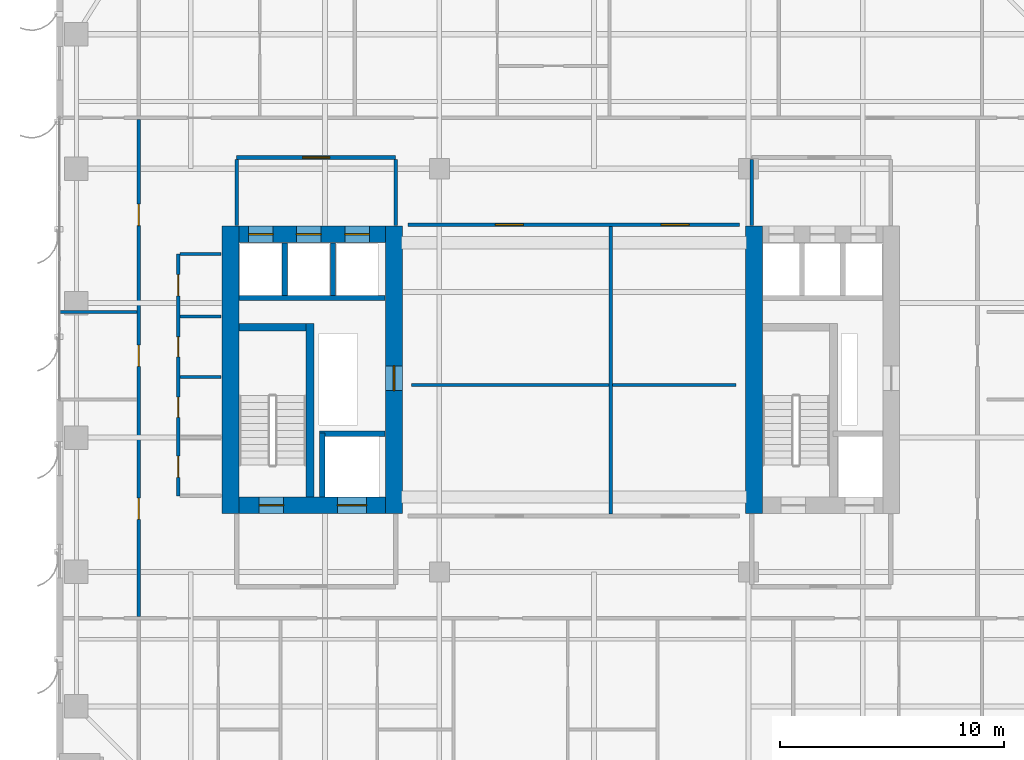
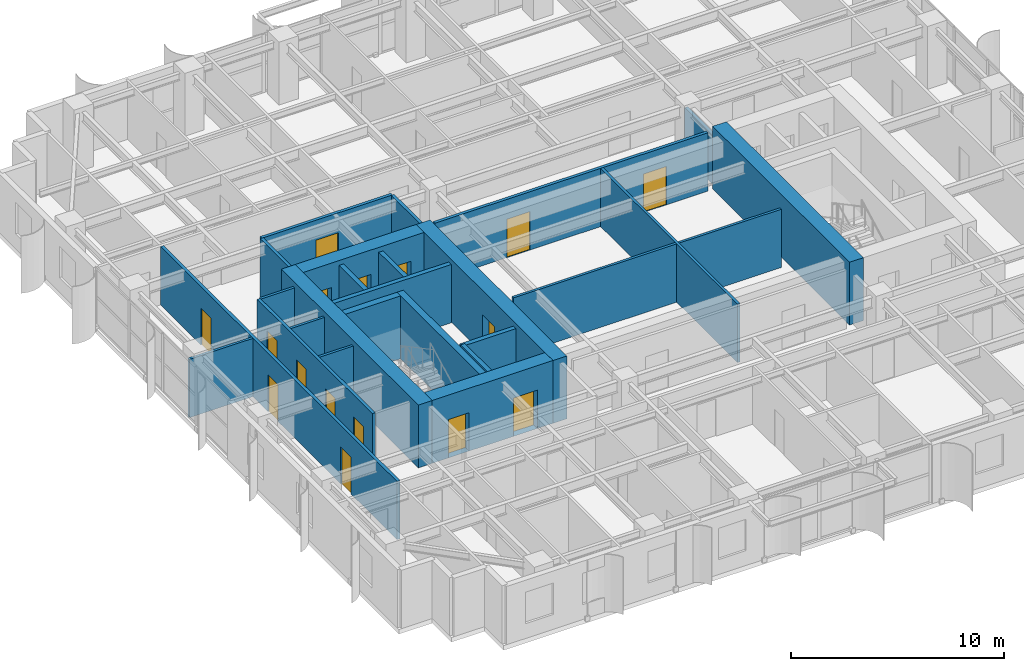
# One storey, part 19 of 25: 25 walls, 16 doors, 16 openings.
"""IFC4 building model written with IfcOpenShell, lengths in metres."""

import ifcopenshell
import ifcopenshell.guid

model = None  # the IFC model being written
_history = None  # IfcOwnerHistory: only IFC2X3 demands one
_inside = {}  # id of a spatial element -> (the spatial element, [elements in it])
_under = {}  # id of a project, library or spatial element -> (it, [spatial elements below it])
_declared = {}  # id of a project -> (the project, [libraries it declares])
_typed = {}  # id of a type object -> (the type object, [elements of that type])
_made_of = {}  # id of a material, layer set ... -> (it, [elements and type objects made of it])


def new_model(schema):
    """Start an empty IFC model of exactly this schema.

    Asked for "IFC4X3", IfcOpenShell would pick the latest addendum, in which some entities
    have other attributes; the version numbers below select the first issue.
    IFC2X3 requires an IfcOwnerHistory on every rooted entity: one is made here for all.
    """
    global model, _history
    if schema == "IFC4X3":
        model = ifcopenshell.file(schema_version=(4, 3, 0, 0))
    else:
        model = ifcopenshell.file(schema=schema)
    _inside.clear()
    _under.clear()
    _declared.clear()
    _typed.clear()
    _made_of.clear()
    _history = None
    if model.schema == "IFC2X3":
        org = make("IfcOrganization", Name="unknown")
        user = make(
            "IfcPersonAndOrganization",
            ThePerson=make("IfcPerson", FamilyName="unknown"),
            TheOrganization=org,
        )
        app = make(
            "IfcApplication",
            ApplicationDeveloper=org,
            Version="unknown",
            ApplicationFullName="unknown",
            ApplicationIdentifier="unknown",
        )
        _history = make(
            "IfcOwnerHistory",
            OwningUser=user,
            OwningApplication=app,
            ChangeAction="ADDED",
            CreationDate=0,
        )
    return model


def make(cls, **values):
    """One entity of the class cls with the attributes given. An attribute that is None is left unset."""
    return model.create_entity(
        cls, **{name: value for name, value in values.items() if value is not None}
    )


def rooted(cls, **values):
    """An entity with a GlobalId (a new one), such as an element, a storey or a relation."""
    return make(cls, GlobalId=ifcopenshell.guid.new(), OwnerHistory=_history, **values)


def si_unit(unit_type, name, prefix=None):
    """IfcSIUnit, for example si_unit("LENGTHUNIT", "METRE", prefix="MILLI")."""
    return make("IfcSIUnit", UnitType=unit_type, Prefix=prefix, Name=name)


def assignment(units):
    """IfcUnitAssignment: the units of a project."""
    return None if units is None else make("IfcUnitAssignment", Units=units)


def point(xyz):
    """IfcCartesianPoint."""
    return None if xyz is None else make("IfcCartesianPoint", Coordinates=xyz)


def direction(xyz):
    """IfcDirection."""
    return None if xyz is None else make("IfcDirection", DirectionRatios=xyz)


def frame(location, z_axis=None, x_axis=None):
    """IfcAxis2Placement3D, a coordinate frame: its origin and axes. An axis left out is left unset."""
    return make(
        "IfcAxis2Placement3D",
        Location=point(location),
        Axis=direction(z_axis),
        RefDirection=direction(x_axis),
    )


def frame_2d(location, x_axis=None):
    """IfcAxis2Placement2D, a coordinate frame in the plane: its origin and x axis."""
    return make(
        "IfcAxis2Placement2D", Location=point(location), RefDirection=direction(x_axis)
    )


def origin():
    """The frame at (0, 0, 0) with its axes left unset."""
    return frame((0.0, 0.0, 0.0))


def place(relative_to, where):
    """IfcLocalPlacement: puts the frame where relative to a parent placement (None: the world)."""
    return make(
        "IfcLocalPlacement", PlacementRelTo=relative_to, RelativePlacement=where
    )


def context(
    kind, dimensions, precision=None, world=None, true_north=None, identifier=None
):
    """IfcGeometricRepresentationContext, for example the 3D "Model" context."""
    return make(
        "IfcGeometricRepresentationContext",
        ContextIdentifier=identifier,
        ContextType=kind,
        CoordinateSpaceDimension=dimensions,
        Precision=precision,
        WorldCoordinateSystem=world,
        TrueNorth=true_north,
    )


def subcontext(parent, identifier, kind, view, scale=None):
    """IfcGeometricRepresentationSubContext, for example "Body" below "Model"."""
    return make(
        "IfcGeometricRepresentationSubContext",
        ContextIdentifier=identifier,
        ContextType=kind,
        ParentContext=parent,
        TargetScale=scale,
        TargetView=view,
    )


def project(units=None, contexts=None):
    """IfcProject with its units and contexts."""
    return rooted(
        "IfcProject",
        Name="project",
        RepresentationContexts=contexts,
        UnitsInContext=assignment(units),
    )


def spatial(cls, under=None, at=None, **own):
    """A site, building, storey or space (cls), placed at a placement, below another one or the project."""
    s = rooted(cls, ObjectPlacement=at, **own)
    if under is not None:
        _under.setdefault(under.id(), (under, []))[1].append(s)
    return s


def profile(cls, at=None, kind="AREA", **sizes):
    """A parametric profile (cls). Its sizes go by their IFC names, for example OverallWidth=200.0."""
    return make(cls, ProfileType=kind, Position=at, **sizes)


def rectangle(**sizes):
    """IfcRectangleProfileDef."""
    return profile("IfcRectangleProfileDef", **sizes)


def extrude(swept, where, along, depth):
    """IfcExtrudedAreaSolid: the profile swept, set in the frame where, extruded along a direction by depth."""
    return make(
        "IfcExtrudedAreaSolid",
        SweptArea=swept,
        Position=where,
        ExtrudedDirection=direction(along),
        Depth=depth,
    )


def shape(context_of_items, identifier, shape_type, items):
    """IfcShapeRepresentation: the items that make up one representation, for example the "Body"."""
    return make(
        "IfcShapeRepresentation",
        ContextOfItems=context_of_items,
        RepresentationIdentifier=identifier,
        RepresentationType=shape_type,
        Items=items,
    )


def source(mapping_origin, context_of_items, identifier, shape_type, items):
    """IfcRepresentationMap: a shape defined once, which mapped items show again and again."""
    return make(
        "IfcRepresentationMap",
        MappingOrigin=mapping_origin,
        MappedRepresentation=shape(context_of_items, identifier, shape_type, items),
    )


def transform(
    local_origin,
    x_axis=None,
    y_axis=None,
    z_axis=None,
    scale=None,
    scale2=None,
    scale3=None,
    uniform=True,
):
    """IfcCartesianTransformationOperator3D, or its non-uniform kind. x_axis, y_axis, z_axis: its Axis1, 2, 3."""
    if uniform:
        return make(
            "IfcCartesianTransformationOperator3D",
            Axis1=direction(x_axis),
            Axis2=direction(y_axis),
            LocalOrigin=point(local_origin),
            Scale=scale,
            Axis3=direction(z_axis),
        )
    return make(
        "IfcCartesianTransformationOperator3DnonUniform",
        Axis1=direction(x_axis),
        Axis2=direction(y_axis),
        LocalOrigin=point(local_origin),
        Scale=scale,
        Axis3=direction(z_axis),
        Scale2=scale2,
        Scale3=scale3,
    )


def mapped(mapping_source, mapping_target):
    """IfcMappedItem: shows the shape of a source again, moved by a transform."""
    return make(
        "IfcMappedItem", MappingSource=mapping_source, MappingTarget=mapping_target
    )


def material(Name=None, Category=None):
    """IfcMaterial."""
    return make("IfcMaterial", Name=Name, Category=Category)


def layer(
    of_material, thickness, ventilated=None, Name=None, Category=None, Priority=None
):
    """IfcMaterialLayer: one layer of a wall or slab, of a material (None: an air gap)."""
    return make(
        "IfcMaterialLayer",
        Material=of_material,
        LayerThickness=thickness,
        IsVentilated=ventilated,
        Name=Name,
        Category=Category,
        Priority=Priority,
    )


def layer_set(layers, Name=None):
    """IfcMaterialLayerSet."""
    return make("IfcMaterialLayerSet", MaterialLayers=layers, LayerSetName=Name)


def made_of(thing, what):
    """Note that an element or type object is made of a material, layer set ...; save() writes the relation."""
    if what is not None:
        _made_of.setdefault(what.id(), (what, []))[1].append(thing)
    return thing


def type_object(cls, material=None, **own):
    """A type object (cls), such as IfcWallType, which elements share."""
    return made_of(rooted(cls, **own), material)


def element(
    cls,
    number,
    at=None,
    inside=None,
    cuts=None,
    type_object=None,
    material=None,
    context=None,
    identifier="Body",
    shape_type=None,
    held_by="IfcProductDefinitionShape",
    body=None,
    shapes=None,
    **own,
):
    """One element of the class cls, such as IfcWall. Its Tag is "e" and its number.

    at: its placement. inside: the storey or other place that contains it. cuts: it is an
    opening in that element (IfcRelVoidsElement). A single representation is given by context,
    identifier, shape_type and body (its items); several are given by shapes. held_by: the class
    of the entity that holds the representations. save() writes the other relations.
    """
    e = rooted(cls, Tag="e%d" % number, ObjectPlacement=at, **own)
    if body is not None:
        shapes = [shape(context, identifier, shape_type, body)]
    if shapes is not None:
        e.Representation = make(held_by, Representations=shapes)
    if inside is not None:
        _inside.setdefault(inside.id(), (inside, []))[1].append(e)
    if cuts is not None:
        rooted(
            "IfcRelVoidsElement", RelatingBuildingElement=cuts, RelatedOpeningElement=e
        )
    if type_object is not None:
        _typed.setdefault(type_object.id(), (type_object, []))[1].append(e)
    return made_of(e, material)


def fill(opening, filler):
    """IfcRelFillsElement: the door or window that sits in an opening."""
    return rooted(
        "IfcRelFillsElement",
        RelatingOpeningElement=opening,
        RelatedBuildingElement=filler,
    )


def aggregate(whole, parts):
    """IfcRelAggregates: a whole, such as a stair, and the parts it consists of."""
    return rooted("IfcRelAggregates", RelatingObject=whole, RelatedObjects=parts)


def save(model, path):
    """Write the relations noted so far, then the file.

    IfcRelAggregates (storeys below a building ...), IfcRelContainedInSpatialStructure (elements
    in a storey), IfcRelDefinesByType, IfcRelAssociatesMaterial and IfcRelDeclares: one each for
    every whole, place, type object, material and project.
    """
    for whole, parts in _under.values():
        aggregate(whole, parts)
    for where, things in _inside.values():
        rooted(
            "IfcRelContainedInSpatialStructure",
            RelatedElements=things,
            RelatingStructure=where,
        )
    for kind, things in _typed.values():
        rooted("IfcRelDefinesByType", RelatedObjects=things, RelatingType=kind)
    for what, things in _made_of.values():
        rooted("IfcRelAssociatesMaterial", RelatedObjects=things, RelatingMaterial=what)
    for by, libraries in _declared.values():
        rooted("IfcRelDeclares", RelatingContext=by, RelatedDefinitions=libraries)
    model.write(path)


model = new_model("IFC4")

# Units and contexts
model_context = context("Model", 3, precision=1e-05, world=origin(), true_north=direction((0.0, 1.0)))
body_context = subcontext(model_context, "Body", "Model", "MODEL_VIEW")
ifc_project = project(units=[si_unit("LENGTHUNIT", "METRE"), si_unit("AREAUNIT", "SQUARE_METRE"), si_unit("VOLUMEUNIT", "CUBIC_METRE"), si_unit("PLANEANGLEUNIT", "RADIAN"), si_unit("MASSUNIT", "GRAM", prefix="KILO")], contexts=[model_context])

# Site, building, storey
site_placement = place(None, origin())
site = spatial("IfcSite", under=ifc_project, at=site_placement, CompositionType="ELEMENT")
building_placement = place(site_placement, origin())
building = spatial("IfcBuilding", under=site, at=building_placement, Name="Khoralis Quay Care Tower", CompositionType="ELEMENT")
storey_placement = place(building_placement, frame((0.0, 0.0, 134.10009765625)))
storey = spatial("IfcBuildingStorey", under=building, at=storey_placement, Name="L35", CompositionType="ELEMENT", Elevation=134.10009765625)

# Wall
ifc_material_1 = material(Name="Concrete C80/95", Category="concrete")
ifc_layer_1 = layer(ifc_material_1, 0.75)
ifc_layer_set_1 = layer_set([ifc_layer_1], Name="Concrete C80/95")
wall_type_1 = type_object("IfcWallType", Name="WL-CORE-750", PredefinedType="SHEAR", material=ifc_layer_set_1)
wall_1_placement = place(storey_placement, frame((7.77490234375, 14.60009765625, 0.0), z_axis=(0.0, 0.0, 1.0), x_axis=(0.0, 1.0, 0.0)))
element("IfcWall", 1, at=wall_1_placement, inside=storey, type_object=wall_type_1, Name="L35 WCORE West Shear Wall", PredefinedType="SHEAR", context=body_context, shape_type="SweptSolid", body=[
    extrude(rectangle(XDim=12.849853515625, YDim=0.75, at=frame_2d((6.4248046875, 0.0))), origin(), (0.0, 0.0, 1.0), 3.599853515625),
])

# Wall, opening, door
wall_2_placement = place(storey_placement, frame((15.074951171875, 14.60009765625, 0.0), z_axis=(0.0, 0.0, 1.0), x_axis=(0.0, 1.0, 0.0)))
wall_2 = element("IfcWall", 2, at=wall_2_placement, inside=storey, type_object=wall_type_1, Name="L35 WCORE East Shear Wall", PredefinedType="SHEAR", context=body_context, shape_type="SweptSolid", body=[
    extrude(rectangle(XDim=12.849853515625, YDim=0.75, at=frame_2d((6.4248046875, 0.0))), origin(), (0.0, 0.0, 1.0), 3.599853515625),
])
opening_1_placement = place(wall_2_placement, frame((5.5, 0.0, 0.0)))
opening_1 = element("IfcOpeningElement", 3, at=opening_1_placement, cuts=wall_2, Name="Opening SD1", PredefinedType="OPENING", context=body_context, shape_type="SweptSolid", body=[
    extrude(rectangle(XDim=1.10009765625, YDim=2.199951171875, at=frame_2d((0.550048828125, 1.10009765625))), frame((0.0, 0.385009765625, 0.0), z_axis=(0.0, -1.0, 0.0), x_axis=(1.0, 0.0, 0.0)), (0.0, 0.0, 1.0), 0.77001953125),
])
ifc_material_2 = material(Name="Fire-rated painted steel", Category="steel")
door_type_1 = type_object("IfcDoorType", Name="DR-STAIR-1100X2200", OperationType="NOTDEFINED", PredefinedType="DOOR", material=ifc_material_2)
shared_shape_1 = source(origin(), body_context, "Body", "SweptSolid", [
    extrude(rectangle(XDim=1.10009765625, YDim=2.199951171875, at=frame_2d((0.550048828125, 1.10009765625))), frame((0.0, 0.02490234375, 0.0), z_axis=(0.0, -1.0, 0.0), x_axis=(1.0, 0.0, 0.0)), (0.0, 0.0, 1.0), 0.050048828125),
])
door_1_placement = place(opening_1_placement, origin())
door_1 = element("IfcDoor", 4, at=door_1_placement, inside=storey, type_object=door_type_1, Name="L35 West MEP Riser Door", OperationType="SINGLE_SWING_LEFT", OverallHeight=2.199951171875, OverallWidth=1.10009765625, PredefinedType="DOOR", context=body_context, shape_type="MappedRepresentation", body=[
    mapped(shared_shape_1, transform((0.0, 0.0, 0.0), scale=1.0)),
])
fill(opening_1, door_1)

# Wall, openings, doors
wall_3_placement = place(storey_placement, frame((8.14990234375, 14.97509765625, 0.0), z_axis=(0.0, 0.0, 1.0), x_axis=(1.0, 0.0, 0.0)))
wall_3 = element("IfcWall", 5, at=wall_3_placement, inside=storey, type_object=wall_type_1, Name="L35 WCORE South Shear Wall", PredefinedType="SHEAR", context=body_context, shape_type="SweptSolid", body=[
    extrude(rectangle(XDim=6.550048828125, YDim=0.75, at=frame_2d((3.27490234375, 0.0))), origin(), (0.0, 0.0, 1.0), 3.599853515625),
])
opening_2_placement = place(wall_3_placement, frame((0.89990234375, 0.0, 0.0)))
opening_2 = element("IfcOpeningElement", 6, at=opening_2_placement, cuts=wall_3, Name="Opening SD1", PredefinedType="OPENING", context=body_context, shape_type="SweptSolid", body=[
    extrude(rectangle(XDim=1.10009765625, YDim=2.199951171875, at=frame_2d((0.550048828125, 1.10009765625))), frame((0.0, 0.385009765625, 0.0), z_axis=(0.0, -1.0, 0.0), x_axis=(1.0, 0.0, 0.0)), (0.0, 0.0, 1.0), 0.77001953125),
])
opening_3_placement = place(wall_3_placement, frame((4.39990234375, 0.0, 0.0)))
opening_3 = element("IfcOpeningElement", 7, at=opening_3_placement, cuts=wall_3, Name="Opening LD2", PredefinedType="OPENING", context=body_context, shape_type="SweptSolid", body=[
    extrude(rectangle(XDim=1.300048828125, YDim=2.199951171875, at=frame_2d((0.64990234375, 1.10009765625))), frame((0.0, 0.385009765625, 0.0), z_axis=(0.0, -1.0, 0.0), x_axis=(1.0, 0.0, 0.0)), (0.0, 0.0, 1.0), 0.77001953125),
])
door_2_placement = place(opening_2_placement, origin())
door_2 = element("IfcDoor", 8, at=door_2_placement, inside=storey, type_object=door_type_1, Name="L35 Stair ST-T1 Fire Door", OperationType="SINGLE_SWING_LEFT", OverallHeight=2.199951171875, OverallWidth=1.10009765625, PredefinedType="DOOR", context=body_context, shape_type="MappedRepresentation", body=[
    mapped(shared_shape_1, transform((0.0, 0.0, 0.0), scale=1.0)),
])
fill(opening_2, door_2)
ifc_material_3 = material(Name="Brushed stainless steel", Category="steel")
door_type_2 = type_object("IfcDoorType", Name="DR-LIFT-1300X2200", OperationType="SLIDING_TO_RIGHT", PredefinedType="DOOR", material=ifc_material_3)
shared_shape_2 = source(origin(), body_context, "Body", "SweptSolid", [
    extrude(rectangle(XDim=1.300048828125, YDim=2.199951171875, at=frame_2d((0.64990234375, 1.10009765625))), frame((0.0, 0.02490234375, 0.0), z_axis=(0.0, -1.0, 0.0), x_axis=(1.0, 0.0, 0.0)), (0.0, 0.0, 1.0), 0.050048828125),
])
door_3_placement = place(opening_3_placement, origin())
door_3 = element("IfcDoor", 9, at=door_3_placement, inside=storey, type_object=door_type_2, Name="L35 Firefighting Lift FFL-1 Landing Door", OperationType="SLIDING_TO_RIGHT", OverallHeight=2.199951171875, OverallWidth=1.300048828125, PredefinedType="DOOR", context=body_context, shape_type="MappedRepresentation", body=[
    mapped(shared_shape_2, transform((0.0, 0.0, 0.0), scale=1.0)),
])
fill(opening_3, door_3)

wall_4_placement = place(storey_placement, frame((8.14990234375, 27.074951171875, 0.0), z_axis=(0.0, 0.0, 1.0), x_axis=(1.0, 0.0, 0.0)))
wall_4 = element("IfcWall", 10, at=wall_4_placement, inside=storey, type_object=wall_type_1, Name="L35 WCORE North Shear Wall", PredefinedType="SHEAR", context=body_context, shape_type="SweptSolid", body=[
    extrude(rectangle(XDim=6.550048828125, YDim=0.75, at=frame_2d((3.27490234375, 0.0))), origin(), (0.0, 0.0, 1.0), 3.599853515625),
])
opening_4_placement = place(wall_4_placement, frame((0.429931640625, 0.0, 0.0)))
opening_4 = element("IfcOpeningElement", 11, at=opening_4_placement, cuts=wall_4, Name="Opening LD1", PredefinedType="OPENING", context=body_context, shape_type="SweptSolid", body=[
    extrude(rectangle(XDim=1.10009765625, YDim=2.199951171875, at=frame_2d((0.550048828125, 1.10009765625))), frame((0.0, 0.385009765625, 0.0), z_axis=(0.0, -1.0, 0.0), x_axis=(1.0, 0.0, 0.0)), (0.0, 0.0, 1.0), 0.77001953125),
])
opening_5_placement = place(wall_4_placement, frame((2.570068359375, 0.0, 0.0)))
opening_5 = element("IfcOpeningElement", 12, at=opening_5_placement, cuts=wall_4, Name="Opening LD1", PredefinedType="OPENING", context=body_context, shape_type="SweptSolid", body=[
    extrude(rectangle(XDim=1.10009765625, YDim=2.199951171875, at=frame_2d((0.550048828125, 1.10009765625))), frame((0.0, 0.385009765625, 0.0), z_axis=(0.0, -1.0, 0.0), x_axis=(1.0, 0.0, 0.0)), (0.0, 0.0, 1.0), 0.77001953125),
])
opening_6_placement = place(wall_4_placement, frame((4.72998046875, 0.0, 0.0)))
opening_6 = element("IfcOpeningElement", 13, at=opening_6_placement, cuts=wall_4, Name="Opening LD1", PredefinedType="OPENING", context=body_context, shape_type="SweptSolid", body=[
    extrude(rectangle(XDim=1.10009765625, YDim=2.199951171875, at=frame_2d((0.550048828125, 1.10009765625))), frame((0.0, 0.385009765625, 0.0), z_axis=(0.0, -1.0, 0.0), x_axis=(1.0, 0.0, 0.0)), (0.0, 0.0, 1.0), 0.77001953125),
])
door_type_3 = type_object("IfcDoorType", Name="DR-LIFT-1100X2200", OperationType="SLIDING_TO_LEFT", PredefinedType="DOOR", material=ifc_material_3)
shared_shape_3 = source(origin(), body_context, "Body", "SweptSolid", [
    extrude(rectangle(XDim=1.10009765625, YDim=2.199951171875, at=frame_2d((0.550048828125, 1.10009765625))), frame((0.0, 0.02490234375, 0.0), z_axis=(0.0, -1.0, 0.0), x_axis=(1.0, 0.0, 0.0)), (0.0, 0.0, 1.0), 0.050048828125),
])
door_4_placement = place(opening_4_placement, origin())
door_4 = element("IfcDoor", 14, at=door_4_placement, inside=storey, type_object=door_type_3, Name="L35 Lift PLL1 Landing Door", OperationType="SLIDING_TO_LEFT", OverallHeight=2.199951171875, OverallWidth=1.10009765625, PredefinedType="DOOR", context=body_context, shape_type="MappedRepresentation", body=[
    mapped(shared_shape_3, transform((0.0, 0.0, 0.0), scale=1.0)),
])
fill(opening_4, door_4)
door_5_placement = place(opening_5_placement, origin())
door_5 = element("IfcDoor", 15, at=door_5_placement, inside=storey, type_object=door_type_3, Name="L35 Lift PLM1 Landing Door", OperationType="SLIDING_TO_LEFT", OverallHeight=2.199951171875, OverallWidth=1.10009765625, PredefinedType="DOOR", context=body_context, shape_type="MappedRepresentation", body=[
    mapped(shared_shape_3, transform((0.0, 0.0, 0.0), scale=1.0)),
])
fill(opening_5, door_5)
door_6_placement = place(opening_6_placement, origin())
door_6 = element("IfcDoor", 16, at=door_6_placement, inside=storey, type_object=door_type_3, Name="L35 Lift PLH1 Landing Door", OperationType="SLIDING_TO_LEFT", OverallHeight=2.199951171875, OverallWidth=1.10009765625, PredefinedType="DOOR", context=body_context, shape_type="MappedRepresentation", body=[
    mapped(shared_shape_3, transform((0.0, 0.0, 0.0), scale=1.0)),
])
fill(opening_6, door_6)

# Wall
wall_5_placement = place(storey_placement, frame((31.14501953125, 14.60009765625, 0.0), z_axis=(0.0, 0.0, 1.0), x_axis=(0.0, 1.0, 0.0)))
element("IfcWall", 17, at=wall_5_placement, inside=storey, type_object=wall_type_1, Name="L35 ECORE West Shear Wall", PredefinedType="SHEAR", context=body_context, shape_type="SweptSolid", body=[
    extrude(rectangle(XDim=12.849853515625, YDim=0.75, at=frame_2d((6.4248046875, 0.0))), origin(), (0.0, 0.0, 1.0), 3.599853515625),
])

# Wall, opening, door
ifc_material_4 = material(Name="Gypsum plasterboard on acoustic metal stud")
ifc_layer_2 = layer(ifc_material_4, 0.1650390625)
ifc_layer_set_2 = layer_set([ifc_layer_2], Name="Gypsum plasterboard on acoustic metal stud")
wall_type_2 = type_object("IfcWallType", Name="WL-CORR-165", PredefinedType="PARTITIONING", material=ifc_layer_set_2)
wall_6_placement = place(storey_placement, frame((8.050048828125, 30.5, 0.0), z_axis=(0.0, 0.0, 1.0), x_axis=(1.0, 0.0, 0.0)))
wall_6 = element("IfcWall", 18, at=wall_6_placement, inside=storey, type_object=wall_type_2, Name="L35 West Lift Lobby North Wall", PredefinedType="PARTITIONING", context=body_context, shape_type="SweptSolid", body=[
    extrude(rectangle(XDim=7.099853515625, YDim=0.1650390625, at=frame_2d((3.5498046875, 0.0))), origin(), (0.0, 0.0, 1.0), 3.33984375),
])
opening_7_placement = place(wall_6_placement, frame((2.949951171875, 0.0, 0.0)))
opening_7 = element("IfcOpeningElement", 19, at=opening_7_placement, cuts=wall_6, Name="Opening FD1", PredefinedType="OPENING", context=body_context, shape_type="SweptSolid", body=[
    extrude(rectangle(XDim=1.199951171875, YDim=2.199951171875, at=frame_2d((0.60009765625, 1.10009765625))), frame((0.0, 0.092529296875, 0.0), z_axis=(0.0, -1.0, 0.0), x_axis=(1.0, 0.0, 0.0)), (0.0, 0.0, 1.0), 0.18505859375),
])
door_type_4 = type_object("IfcDoorType", Name="DR-FFL-1200X2200", OperationType="NOTDEFINED", PredefinedType="DOOR", material=ifc_material_2)
shared_shape_4 = source(origin(), body_context, "Body", "SweptSolid", [
    extrude(rectangle(XDim=1.199951171875, YDim=2.199951171875, at=frame_2d((0.60009765625, 1.10009765625))), frame((0.0, 0.02490234375, 0.0), z_axis=(0.0, -1.0, 0.0), x_axis=(1.0, 0.0, 0.0)), (0.0, 0.0, 1.0), 0.050048828125),
])
door_7_placement = place(opening_7_placement, origin())
door_7 = element("IfcDoor", 20, at=door_7_placement, inside=storey, type_object=door_type_4, Name="L35 West Lift Lobby Double Door", OperationType="DOUBLE_DOOR_SINGLE_SWING", OverallHeight=2.199951171875, OverallWidth=1.199951171875, PredefinedType="DOOR", context=body_context, shape_type="MappedRepresentation", body=[
    mapped(shared_shape_4, transform((0.0, 0.0, 0.0), scale=1.0)),
])
fill(opening_7, door_7)

# Walls
for number, where, z_axis, x_axis, name in (
    (21, (8.050048828125, 27.469970703125, 0.0), (0.0, 0.0, 1.0), (0.0, 1.0, 0.0), "L35 West Lift Lobby West Wall"),
    (22, (15.14990234375, 27.469970703125, 0.0), (0.0, 0.0, 1.0), (0.0, 1.0, 0.0), "L35 West Lift Lobby East Wall"),
):
    element("IfcWall", number, at=place(storey_placement, frame(where, z_axis=z_axis, x_axis=x_axis)), inside=storey, type_object=wall_type_2, Name=name, PredefinedType="PARTITIONING", context=body_context, shape_type="SweptSolid", body=[
        extrude(rectangle(XDim=2.95263671875, YDim=0.1650390625, at=frame_2d((1.476318359375, 0.0))), origin(), (0.0, 0.0, 1.0), 3.33984375),
    ])
wall_7_placement = place(storey_placement, frame((31.050048828125, 27.469970703125, 0.0), z_axis=(0.0, 0.0, 1.0), x_axis=(0.0, 1.0, 0.0)))
element("IfcWall", 23, at=wall_7_placement, inside=storey, type_object=wall_type_2, Name="L35 East Lift Lobby West Wall", PredefinedType="PARTITIONING", context=body_context, shape_type="SweptSolid", body=[
    extrude(rectangle(XDim=2.95263671875, YDim=0.1650390625, at=frame_2d((1.476318359375, 0.0))), origin(), (0.0, 0.0, 1.0), 2.7958984375),
])

# Wall, openings, doors
wall_8_placement = place(storey_placement, frame((5.449951171875, 15.39990234375, 0.0), z_axis=(0.0, 0.0, 1.0), x_axis=(0.0, 1.0, 0.0)))
wall_8 = element("IfcWall", 24, at=wall_8_placement, inside=storey, type_object=wall_type_2, Name="L35 West Core Service Flank Wall", PredefinedType="PARTITIONING", context=body_context, shape_type="SweptSolid", body=[
    extrude(rectangle(XDim=10.800048828125, YDim=0.1650390625, at=frame_2d((5.39990234375, 0.0))), origin(), (0.0, 0.0, 1.0), 3.33984375),
])
opening_8_placement = place(wall_8_placement, frame((0.824951171875, 0.0, 0.0)))
opening_8 = element("IfcOpeningElement", 25, at=opening_8_placement, cuts=wall_8, Name="Opening ID1", PredefinedType="OPENING", context=body_context, shape_type="SweptSolid", body=[
    extrude(rectangle(XDim=0.949951171875, YDim=2.10009765625, at=frame_2d((0.47509765625, 1.050048828125))), frame((0.0, 0.092529296875, 0.0), z_axis=(0.0, -1.0, 0.0), x_axis=(1.0, 0.0, 0.0)), (0.0, 0.0, 1.0), 0.18505859375),
])
opening_9_placement = place(wall_8_placement, frame((3.5, 0.0, 0.0)))
opening_9 = element("IfcOpeningElement", 26, at=opening_9_placement, cuts=wall_8, Name="Opening WD1", PredefinedType="OPENING", context=body_context, shape_type="SweptSolid", body=[
    extrude(rectangle(XDim=0.89990234375, YDim=2.10009765625, at=frame_2d((0.449951171875, 1.050048828125))), frame((0.0, 0.092529296875, 0.0), z_axis=(0.0, -1.0, 0.0), x_axis=(1.0, 0.0, 0.0)), (0.0, 0.0, 1.0), 0.18505859375),
])
opening_10_placement = place(wall_8_placement, frame((6.199951171875, 0.0, 0.0)))
opening_10 = element("IfcOpeningElement", 27, at=opening_10_placement, cuts=wall_8, Name="Opening WD1", PredefinedType="OPENING", context=body_context, shape_type="SweptSolid", body=[
    extrude(rectangle(XDim=0.89990234375, YDim=2.10009765625, at=frame_2d((0.449951171875, 1.050048828125))), frame((0.0, 0.092529296875, 0.0), z_axis=(0.0, -1.0, 0.0), x_axis=(1.0, 0.0, 0.0)), (0.0, 0.0, 1.0), 0.18505859375),
])
opening_11_placement = place(wall_8_placement, frame((8.925048828125, 0.0, 0.0)))
opening_11 = element("IfcOpeningElement", 28, at=opening_11_placement, cuts=wall_8, Name="Opening ID1", PredefinedType="OPENING", context=body_context, shape_type="SweptSolid", body=[
    extrude(rectangle(XDim=0.949951171875, YDim=2.10009765625, at=frame_2d((0.47509765625, 1.050048828125))), frame((0.0, 0.092529296875, 0.0), z_axis=(0.0, -1.0, 0.0), x_axis=(1.0, 0.0, 0.0)), (0.0, 0.0, 1.0), 0.18505859375),
])
ifc_material_5 = material(Name="Acoustic hardwood timber", Category="wood")
door_type_5 = type_object("IfcDoorType", Name="DR-BATH-900X2100", OperationType="NOTDEFINED", PredefinedType="DOOR", material=ifc_material_5)
shared_shape_5 = source(origin(), body_context, "Body", "SweptSolid", [
    extrude(rectangle(XDim=0.89990234375, YDim=2.10009765625, at=frame_2d((0.449951171875, 1.050048828125))), frame((0.0, 0.02490234375, 0.0), z_axis=(0.0, -1.0, 0.0), x_axis=(1.0, 0.0, 0.0)), (0.0, 0.0, 1.0), 0.050048828125),
])
door_8_placement = place(opening_9_placement, frame((0.89990234375, 0.0, 0.0), z_axis=(0.0, 0.0, 1.0), x_axis=(-1.0, 0.0, 0.0)))
door_8 = element("IfcDoor", 29, at=door_8_placement, inside=storey, type_object=door_type_5, Name="L35 Public Accessible WC Door", OperationType="SINGLE_SWING_LEFT", OverallHeight=2.10009765625, OverallWidth=0.89990234375, PredefinedType="DOOR", context=body_context, shape_type="MappedRepresentation", body=[
    mapped(shared_shape_5, transform((0.0, 0.0, 0.0), scale=1.0)),
])
fill(opening_9, door_8)
door_9_placement = place(opening_10_placement, frame((0.89990234375, 0.0, 0.0), z_axis=(0.0, 0.0, 1.0), x_axis=(-1.0, 0.0, 0.0)))
door_9 = element("IfcDoor", 30, at=door_9_placement, inside=storey, type_object=door_type_5, Name="L35 Staff Accessible WC Door", OperationType="SINGLE_SWING_RIGHT", OverallHeight=2.10009765625, OverallWidth=0.89990234375, PredefinedType="DOOR", context=body_context, shape_type="MappedRepresentation", body=[
    mapped(shared_shape_5, transform((0.0, 0.0, 0.0), scale=1.0)),
])
fill(opening_10, door_9)
door_type_6 = type_object("IfcDoorType", Name="DR-ROOM-950X2100", OperationType="NOTDEFINED", PredefinedType="DOOR", material=ifc_material_5)
shared_shape_6 = source(origin(), body_context, "Body", "SweptSolid", [
    extrude(rectangle(XDim=0.949951171875, YDim=2.10009765625, at=frame_2d((0.47509765625, 1.050048828125))), frame((0.0, 0.02490234375, 0.0), z_axis=(0.0, -1.0, 0.0), x_axis=(1.0, 0.0, 0.0)), (0.0, 0.0, 1.0), 0.050048828125),
])
door_10_placement = place(opening_8_placement, frame((0.949951171875, 0.0, 0.0), z_axis=(0.0, 0.0, 1.0), x_axis=(-1.0, 0.0, 0.0)))
door_10 = element("IfcDoor", 31, at=door_10_placement, inside=storey, type_object=door_type_6, Name="L35 Housekeeping Store Door", OperationType="SINGLE_SWING_RIGHT", OverallHeight=2.10009765625, OverallWidth=0.949951171875, PredefinedType="DOOR", context=body_context, shape_type="MappedRepresentation", body=[
    mapped(shared_shape_6, transform((0.0, 0.0, 0.0), scale=1.0)),
])
fill(opening_8, door_10)
door_11_placement = place(opening_11_placement, frame((0.949951171875, 0.0, 0.0), z_axis=(0.0, 0.0, 1.0), x_axis=(-1.0, 0.0, 0.0)))
door_11 = element("IfcDoor", 32, at=door_11_placement, inside=storey, type_object=door_type_6, Name="L35 Telecom IDF Room Door", OperationType="SINGLE_SWING_LEFT", OverallHeight=2.10009765625, OverallWidth=0.949951171875, PredefinedType="DOOR", context=body_context, shape_type="MappedRepresentation", body=[
    mapped(shared_shape_6, transform((0.0, 0.0, 0.0), scale=1.0)),
])
fill(opening_11, door_11)

wall_9_placement = place(storey_placement, frame((3.679931640625, 10.017578125, 0.0), z_axis=(0.0, 0.0, 1.0), x_axis=(0.0, 1.0, 0.0)))
wall_9 = element("IfcWall", 33, at=wall_9_placement, inside=storey, type_object=wall_type_2, Name="L35 West Loop Corridor Wall", PredefinedType="PARTITIONING", context=body_context, shape_type="SweptSolid", body=[
    extrude(rectangle(XDim=22.184814453125, YDim=0.1650390625, at=frame_2d((11.09228515625, 0.0))), origin(), (0.0, 0.0, 1.0), 3.33984375),
])
opening_12_placement = place(wall_9_placement, frame((4.327392578125, 0.0, 0.0)))
opening_12 = element("IfcOpeningElement", 34, at=opening_12_placement, cuts=wall_9, Name="Opening ID1", PredefinedType="OPENING", context=body_context, shape_type="SweptSolid", body=[
    extrude(rectangle(XDim=0.949951171875, YDim=2.10009765625, at=frame_2d((0.47509765625, 1.050048828125))), frame((0.0, 0.092529296875, 0.0), z_axis=(0.0, -1.0, 0.0), x_axis=(1.0, 0.0, 0.0)), (0.0, 0.0, 1.0), 0.18505859375),
])
opening_13_placement = place(wall_9_placement, frame((11.157470703125, 0.0, 0.0)))
opening_13 = element("IfcOpeningElement", 35, at=opening_13_placement, cuts=wall_9, Name="Opening ID1", PredefinedType="OPENING", context=body_context, shape_type="SweptSolid", body=[
    extrude(rectangle(XDim=0.949951171875, YDim=2.10009765625, at=frame_2d((0.47509765625, 1.050048828125))), frame((0.0, 0.092529296875, 0.0), z_axis=(0.0, -1.0, 0.0), x_axis=(1.0, 0.0, 0.0)), (0.0, 0.0, 1.0), 0.18505859375),
])
opening_14_placement = place(wall_9_placement, frame((17.447509765625, 0.0, 0.0)))
opening_14 = element("IfcOpeningElement", 36, at=opening_14_placement, cuts=wall_9, Name="Opening ID1", PredefinedType="OPENING", context=body_context, shape_type="SweptSolid", body=[
    extrude(rectangle(XDim=0.949951171875, YDim=2.10009765625, at=frame_2d((0.47509765625, 1.050048828125))), frame((0.0, 0.092529296875, 0.0), z_axis=(0.0, -1.0, 0.0), x_axis=(1.0, 0.0, 0.0)), (0.0, 0.0, 1.0), 0.18505859375),
])
door_12_placement = place(opening_12_placement, origin())
door_12 = element("IfcDoor", 37, at=door_12_placement, inside=storey, type_object=door_type_6, Name="L35 Therapy Consultation Room Door", OperationType="SINGLE_SWING_LEFT", OverallHeight=2.10009765625, OverallWidth=0.949951171875, PredefinedType="DOOR", context=body_context, shape_type="MappedRepresentation", body=[
    mapped(shared_shape_6, transform((0.0, 0.0, 0.0), scale=1.0)),
])
fill(opening_12, door_12)
door_13_placement = place(opening_13_placement, origin())
door_13 = element("IfcDoor", 38, at=door_13_placement, inside=storey, type_object=door_type_6, Name="L35 Assisted Activity Lounge Door", OperationType="SINGLE_SWING_RIGHT", OverallHeight=2.10009765625, OverallWidth=0.949951171875, PredefinedType="DOOR", context=body_context, shape_type="MappedRepresentation", body=[
    mapped(shared_shape_6, transform((0.0, 0.0, 0.0), scale=1.0)),
])
fill(opening_13, door_13)
door_14_placement = place(opening_14_placement, origin())
door_14 = element("IfcDoor", 39, at=door_14_placement, inside=storey, type_object=door_type_6, Name="L35 Nurse Charting Office Door", OperationType="SINGLE_SWING_LEFT", OverallHeight=2.10009765625, OverallWidth=0.949951171875, PredefinedType="DOOR", context=body_context, shape_type="MappedRepresentation", body=[
    mapped(shared_shape_6, transform((0.0, 0.0, 0.0), scale=1.0)),
])
fill(opening_14, door_14)

wall_10_placement = place(storey_placement, frame((15.699951171875, 27.5, 0.0), z_axis=(0.0, 0.0, 1.0), x_axis=(1.0, 0.0, 0.0)))
wall_10 = element("IfcWall", 40, at=wall_10_placement, inside=storey, type_object=wall_type_2, Name="L35 Central Clinical North Wall", PredefinedType="PARTITIONING", context=body_context, shape_type="SweptSolid", body=[
    extrude(rectangle(XDim=14.800048828125, YDim=0.1650390625, at=frame_2d((7.39990234375, 0.0))), origin(), (0.0, 0.0, 1.0), 3.33984375),
])
opening_15_placement = place(wall_10_placement, frame((3.89990234375, 0.0, 0.0)))
opening_15 = element("IfcOpeningElement", 41, at=opening_15_placement, cuts=wall_10, Name="Opening CD1", PredefinedType="OPENING", context=body_context, shape_type="SweptSolid", body=[
    extrude(rectangle(XDim=1.25, YDim=2.199951171875, at=frame_2d((0.625, 1.10009765625))), frame((0.0, 0.092529296875, 0.0), z_axis=(0.0, -1.0, 0.0), x_axis=(1.0, 0.0, 0.0)), (0.0, 0.0, 1.0), 0.18505859375),
])
opening_16_placement = place(wall_10_placement, frame((11.300048828125, 0.0, 0.0)))
opening_16 = element("IfcOpeningElement", 42, at=opening_16_placement, cuts=wall_10, Name="Opening CD1", PredefinedType="OPENING", context=body_context, shape_type="SweptSolid", body=[
    extrude(rectangle(XDim=1.25, YDim=2.199951171875, at=frame_2d((0.625, 1.10009765625))), frame((0.0, 0.092529296875, 0.0), z_axis=(0.0, -1.0, 0.0), x_axis=(1.0, 0.0, 0.0)), (0.0, 0.0, 1.0), 0.18505859375),
])
door_type_7 = type_object("IfcDoorType", Name="DR-CARE-1250X2200", OperationType="NOTDEFINED", PredefinedType="DOOR", material=ifc_material_5)
shared_shape_7 = source(origin(), body_context, "Body", "SweptSolid", [
    extrude(rectangle(XDim=1.25, YDim=2.199951171875, at=frame_2d((0.625, 1.10009765625))), frame((0.0, 0.02490234375, 0.0), z_axis=(0.0, -1.0, 0.0), x_axis=(1.0, 0.0, 0.0)), (0.0, 0.0, 1.0), 0.050048828125),
])
door_15_placement = place(opening_15_placement, frame((1.25, 0.0, 0.0), z_axis=(0.0, 0.0, 1.0), x_axis=(-1.0, 0.0, 0.0)))
door_15 = element("IfcDoor", 43, at=door_15_placement, inside=storey, type_object=door_type_7, Name="L35 Library Lounge Door", OperationType="SINGLE_SWING_LEFT", OverallHeight=2.199951171875, OverallWidth=1.25, PredefinedType="DOOR", context=body_context, shape_type="MappedRepresentation", body=[
    mapped(shared_shape_7, transform((0.0, 0.0, 0.0), scale=1.0)),
])
fill(opening_15, door_15)
door_16_placement = place(opening_16_placement, frame((1.25, 0.0, 0.0), z_axis=(0.0, 0.0, 1.0), x_axis=(-1.0, 0.0, 0.0)))
door_16 = element("IfcDoor", 44, at=door_16_placement, inside=storey, type_object=door_type_7, Name="L35 Occupational Therapy Door", OperationType="SINGLE_SWING_RIGHT", OverallHeight=2.199951171875, OverallWidth=1.25, PredefinedType="DOOR", context=body_context, shape_type="MappedRepresentation", body=[
    mapped(shared_shape_7, transform((0.0, 0.0, 0.0), scale=1.0)),
])
fill(opening_16, door_16)

# Walls
ifc_material_6 = material(Name="Moisture-resistant gypsum and ceramic tile")
ifc_layer_3 = layer(ifc_material_6, 0.280029296875)
ifc_layer_set_3 = layer_set([ifc_layer_3], Name="Moisture-resistant gypsum and ceramic tile")
wall_type_3 = type_object("IfcWallType", Name="WL-PLUMB-280", PredefinedType="PLUMBINGWALL", material=ifc_layer_set_3)
wall_11_placement = place(storey_placement, frame((5.527587890625, 20.699951171875, 0.0), z_axis=(0.0, 0.0, 1.0), x_axis=(1.0, 0.0, 0.0)))
element("IfcWall", 45, at=wall_11_placement, inside=storey, type_object=wall_type_3, Name="L35 West Flank Divider 2", PredefinedType="PLUMBINGWALL", context=body_context, shape_type="SweptSolid", body=[
    extrude(rectangle(XDim=1.83251953125, YDim=0.139892578125, at=frame_2d((0.916259765625, 0.0))), origin(), (0.0, 0.0, 1.0), 3.33984375),
])
ifc_material_7 = material(Name="Concrete C40/50", Category="concrete")
ifc_layer_4 = layer(ifc_material_7, 0.35009765625)
ifc_layer_set_4 = layer_set([ifc_layer_4], Name="Concrete C40/50")
wall_type_4 = type_object("IfcWallType", Name="WL-SC-CORE-350", PredefinedType="SHEAR", material=ifc_layer_set_4)
wall_12_placement = place(storey_placement, frame((11.324951171875, 15.35009765625, 0.0), z_axis=(0.0, 0.0, 1.0), x_axis=(0.0, 1.0, 0.0)))
element("IfcWall", 46, at=wall_12_placement, inside=storey, type_object=wall_type_4, Name="L35 Stair ST-T1 Shear Baffle Wall East", PredefinedType="SHEAR", context=body_context, shape_type="SweptSolid", body=[
    extrude(rectangle(XDim=7.75, YDim=0.35009765625, at=frame_2d((3.875, 0.0))), origin(), (0.0, 0.0, 1.0), 3.599853515625),
])
wall_13_placement = place(storey_placement, frame((8.14990234375, 22.925048828125, 0.0), z_axis=(0.0, 0.0, 1.0), x_axis=(1.0, 0.0, 0.0)))
element("IfcWall", 47, at=wall_13_placement, inside=storey, type_object=wall_type_4, Name="L35 Stair ST-T1 Shear Baffle Wall North", PredefinedType="SHEAR", context=body_context, shape_type="SweptSolid", body=[
    extrude(rectangle(XDim=3.0, YDim=0.35009765625, at=frame_2d((1.5, 0.0))), origin(), (0.0, 0.0, 1.0), 3.599853515625),
])
ifc_layer_5 = layer(ifc_material_4, 0.239990234375)
ifc_layer_set_5 = layer_set([ifc_layer_5], Name="Gypsum plasterboard on acoustic metal stud")
wall_type_5 = type_object("IfcWallType", Name="WL-SHAFT-240", PredefinedType="PARTITIONING", material=ifc_layer_set_5)
wall_14_placement = place(storey_placement, frame((11.8798828125, 15.35009765625, 0.0), z_axis=(0.0, 0.0, 1.0), x_axis=(0.0, 1.0, 0.0)))
element("IfcWall", 48, at=wall_14_placement, inside=storey, type_object=wall_type_5, Name="L35 FFL-1 Shaft Wall West", PredefinedType="PARTITIONING", context=body_context, shape_type="SweptSolid", body=[
    extrude(rectangle(XDim=2.849853515625, YDim=0.239990234375, at=frame_2d((1.4248046875, 0.0))), origin(), (0.0, 0.0, 1.0), 3.33984375),
])
wall_15_placement = place(storey_placement, frame((11.760009765625, 18.169921875, 0.0), z_axis=(0.0, 0.0, 1.0), x_axis=(1.0, 0.0, 0.0)))
element("IfcWall", 49, at=wall_15_placement, inside=storey, type_object=wall_type_5, Name="L35 FFL-1 Shaft Wall North", PredefinedType="PARTITIONING", context=body_context, shape_type="SweptSolid", body=[
    extrude(rectangle(XDim=2.919921875, YDim=0.239990234375, at=frame_2d((1.4599609375, 0.0))), origin(), (0.0, 0.0, 1.0), 3.33984375),
])
wall_16_placement = place(storey_placement, frame((8.14990234375, 24.22998046875, 0.0), z_axis=(0.0, 0.0, 1.0), x_axis=(1.0, 0.0, 0.0)))
element("IfcWall", 50, at=wall_16_placement, inside=storey, type_object=wall_type_5, Name="L35 West Passenger Shaft South Wall", PredefinedType="PARTITIONING", context=body_context, shape_type="SweptSolid", body=[
    extrude(rectangle(XDim=6.530029296875, YDim=0.239990234375, at=frame_2d((3.26513671875, 0.0))), origin(), (0.0, 0.0, 1.0), 3.33984375),
])
for number, where, z_axis, x_axis, name in (
    (51, (10.199951171875, 24.344970703125, 0.0), (0.0, 0.0, 1.0), (0.0, 1.0, 0.0), "L35 West Shaft Divider 1"),
    (52, (12.35009765625, 24.344970703125, 0.0), (0.0, 0.0, 1.0), (0.0, 1.0, 0.0), "L35 West Shaft Divider 2"),
):
    element("IfcWall", number, at=place(storey_placement, frame(where, z_axis=z_axis, x_axis=x_axis)), inside=storey, type_object=wall_type_5, Name=name, PredefinedType="PARTITIONING", context=body_context, shape_type="SweptSolid", body=[
        extrude(rectangle(XDim=2.3349609375, YDim=0.239990234375, at=frame_2d((1.16748046875, 0.0))), origin(), (0.0, 0.0, 1.0), 3.33984375),
    ])
ifc_layer_6 = layer(ifc_material_4, 0.139892578125)
ifc_layer_set_6 = layer_set([ifc_layer_6], Name="Gypsum plasterboard on acoustic metal stud")
wall_type_6 = type_object("IfcWallType", Name="WL-UNIT-140", PredefinedType="PARTITIONING", material=ifc_layer_set_6)
for number, where, z_axis, x_axis, name in (
    (53, (5.527587890625, 26.199951171875, 0.0), (0.0, 0.0, 1.0), (1.0, 0.0, 0.0), "L35 West Flank North Cap"),
    (54, (5.527587890625, 23.39990234375, 0.0), (0.0, 0.0, 1.0), (1.0, 0.0, 0.0), "L35 West Flank Divider 3"),
):
    element("IfcWall", number, at=place(storey_placement, frame(where, z_axis=z_axis, x_axis=x_axis)), inside=storey, type_object=wall_type_6, Name=name, PredefinedType="PARTITIONING", context=body_context, shape_type="SweptSolid", body=[
        extrude(rectangle(XDim=1.83251953125, YDim=0.139892578125, at=frame_2d((0.916259765625, 0.0))), origin(), (0.0, 0.0, 1.0), 3.33984375),
    ])
wall_17_placement = place(storey_placement, frame((0.14501953125, 23.60009765625, 0.0), z_axis=(0.0, 0.0, 1.0), x_axis=(1.0, 0.0, 0.0)))
element("IfcWall", 55, at=wall_17_placement, inside=storey, type_object=wall_type_6, Name="L35 WW Divider 2", PredefinedType="PARTITIONING", context=body_context, shape_type="SweptSolid", body=[
    extrude(rectangle(XDim=3.45751953125, YDim=0.139892578125, at=frame_2d((1.728759765625, 0.0))), origin(), (0.0, 0.0, 1.0), 3.33984375),
])
wall_18_placement = place(storey_placement, frame((24.75, 14.577392578125, 0.0), z_axis=(0.0, 0.0, 1.0), x_axis=(0.0, 1.0, 0.0)))
element("IfcWall", 56, at=wall_18_placement, inside=storey, type_object=wall_type_6, Name="L35 Central Split V", PredefinedType="PARTITIONING", context=body_context, shape_type="SweptSolid", body=[
    extrude(rectangle(XDim=12.84521484375, YDim=0.139892578125, at=frame_2d((6.422607421875, 0.0))), origin(), (0.0, 0.0, 1.0), 3.33984375),
])
wall_19_placement = place(storey_placement, frame((15.85009765625, 20.35009765625, 0.0), z_axis=(0.0, 0.0, 1.0), x_axis=(1.0, 0.0, 0.0)))
element("IfcWall", 57, at=wall_19_placement, inside=storey, type_object=wall_type_6, Name="L35 Central Split H", PredefinedType="PARTITIONING", context=body_context, shape_type="SweptSolid", body=[
    extrude(rectangle(XDim=14.5, YDim=0.139892578125, at=frame_2d((7.25, 0.0))), origin(), (0.0, 0.0, 1.0), 3.33984375),
])

save(model, "model.ifc")
